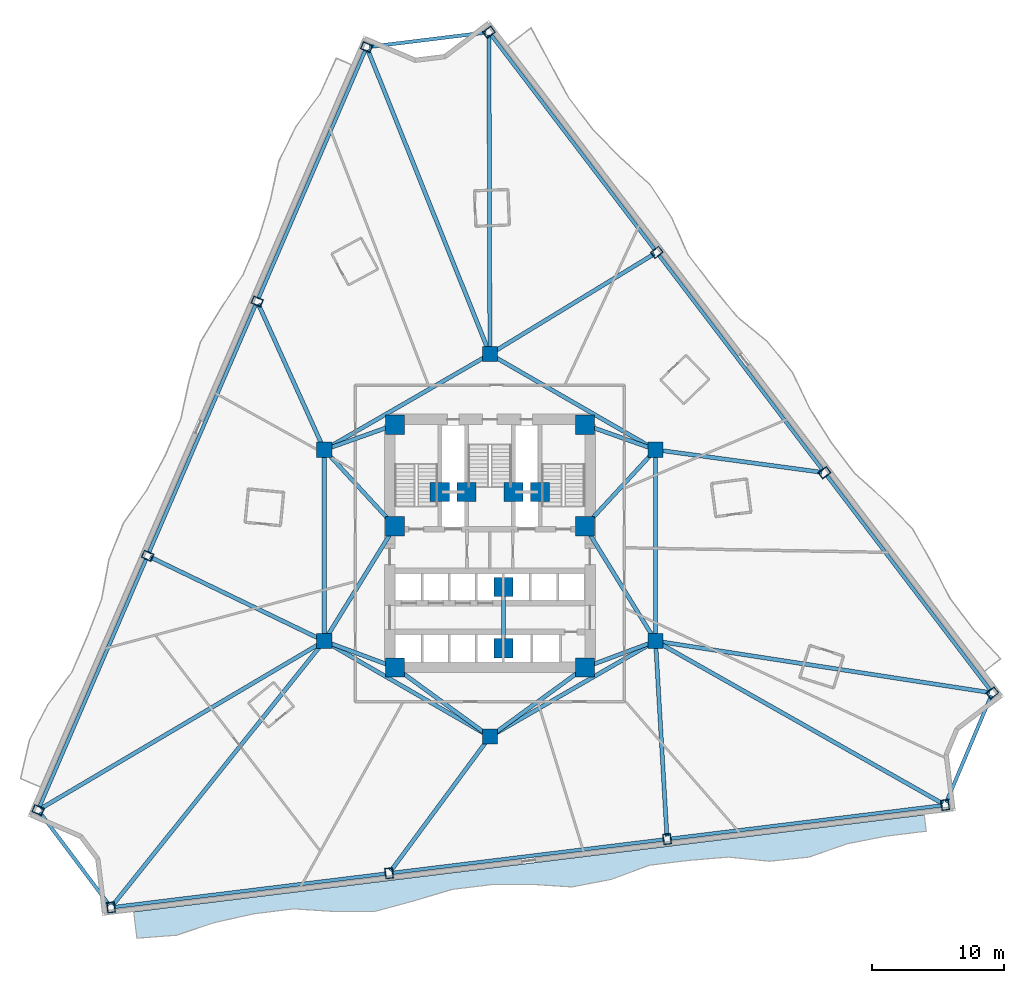
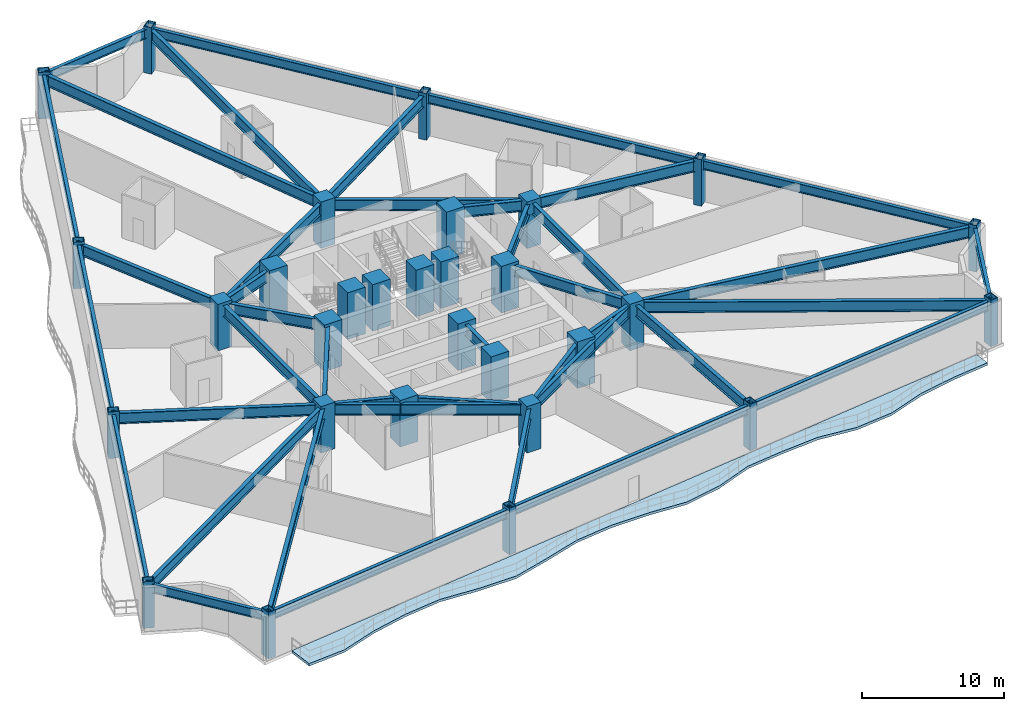
# One storey, part 1 of 13: 41 beams, 30 columns, 1 slab.
"""IFC4 building model written with IfcOpenShell, lengths in metres."""

from ifc_helpers import new_model, si_unit, direction, frame, origin, origin_2d, place, context, subcontext, project, spatial, polyline, rectangle, hollow_rectangle, i_section, outline, extrude, material, layer, layer_set, material_profile, profile_set, type_object, element, save


model = new_model("IFC4")

# Units and contexts
model_context = context("Model", 3, precision=1e-05, world=origin(), true_north=direction((0.0, 1.0)))
body_context = subcontext(model_context, "Body", "Model", "MODEL_VIEW")
ifc_project = project(units=[si_unit("LENGTHUNIT", "METRE"), si_unit("AREAUNIT", "SQUARE_METRE"), si_unit("VOLUMEUNIT", "CUBIC_METRE"), si_unit("PLANEANGLEUNIT", "RADIAN"), si_unit("MASSUNIT", "GRAM", prefix="KILO")], contexts=[model_context])

# Site, building, storey
site_placement = place(None, origin())
site = spatial("IfcSite", under=ifc_project, at=site_placement, CompositionType="ELEMENT")
building_placement = place(site_placement, origin())
building = spatial("IfcBuilding", under=site, at=building_placement, Name="Apsidion Concourse Tower", CompositionType="ELEMENT")
storey_placement = place(building_placement, frame((0.0, 0.0, 67.0)))
storey = spatial("IfcBuildingStorey", under=building, at=storey_placement, Name="L14", CompositionType="ELEMENT", Elevation=67.0)

# Columns
ifc_material_1 = material(Name="Structural steel ASTM A572 Grade 50", Category="steel")
ifc_material_profile_1 = material_profile(ifc_material_1, hollow_rectangle(XDim=0.60009765625, YDim=0.800048828125, WallThickness=0.050048828125, at=origin_2d()), Name="BOX800X600X50")
ifc_profile_set_1 = profile_set([ifc_material_profile_1], Name="Structural steel ASTM A572 Grade 50")
column_type_1 = type_object("IfcColumnType", Name="COL-BOX-800", PredefinedType="COLUMN", material=ifc_profile_set_1)
for number, where, z_axis, x_axis, name in (
    (1, (-9.34423828125, 37.77685546875, 0.0), (0.0, 0.0, 1.0), (0.395545502563, 0.918446381343, 0.0), "L14 Rotated Perimeter Column PC01"),
    (2, (-17.64794921875, 18.49462890625, 0.0), (0.0, 0.0, 1.0), (0.395545502563, 0.918446381343, 0.0), "L14 Rotated Perimeter Column PC02"),
    (3, (-25.95166015625, -0.787353515625, 0.0), (0.0, 0.0, 1.0), (0.395545502563, 0.918446381343, 0.0), "L14 Rotated Perimeter Column PC03"),
    (4, (-34.25537109375, -20.069580078125, 0.0), (0.0, 0.0, 1.0), (0.395545502563, 0.918446381343, 0.0), "L14 Rotated Perimeter Column PC04"),
    (5, (-28.72802734375, -27.4443359375, 0.0), (0.0, 0.0, 1.0), (0.992546151641, 0.121869343405, 0.0), "L14 Rotated Perimeter Column PC05"),
    (6, (-7.647216796875, -24.85595703125, 0.0), (0.0, 0.0, 1.0), (0.992546151641, 0.121869343405, 0.0), "L14 Rotated Perimeter Column PC06"),
    (7, (13.433349609375, -22.267578125, 0.0), (0.0, 0.0, 1.0), (0.992546151641, 0.121869343405, 0.0), "L14 Rotated Perimeter Column PC07"),
    (8, (34.51416015625, -19.67919921875, 0.0), (0.0, 0.0, 1.0), (0.992546151641, 0.121869343405, 0.0), "L14 Rotated Perimeter Column PC08"),
    (9, (38.093017578125, -11.186279296875, 0.0), (0.0, 0.0, 1.0), (-0.605988400266, 0.795473480855, 0.0), "L14 Rotated Perimeter Column PC09"),
    (10, (25.371337890625, 5.514404296875, 0.0), (0.0, 0.0, 1.0), (-0.605988400266, 0.795473480855, 0.0), "L14 Rotated Perimeter Column PC10"),
    (11, (12.6494140625, 22.214599609375, 0.0), (0.0, 0.0, 1.0), (-0.605988400266, 0.795473480855, 0.0), "L14 Rotated Perimeter Column PC11"),
    (12, (-0.072265625, 38.915283203125, 0.0), (0.0, 0.0, 1.0), (-0.605988400266, 0.795473480855, 0.0), "L14 Rotated Perimeter Column PC12"),
):
    element("IfcColumn", number, at=place(storey_placement, frame(where, z_axis=z_axis, x_axis=x_axis)), inside=storey, type_object=column_type_1, Name=name, PredefinedType="COLUMN", context=body_context, shape_type="SweptSolid", body=[
        extrude(hollow_rectangle(XDim=0.60009765625, YDim=0.800048828125, WallThickness=0.050048828125, at=origin_2d()), origin(), (0.0, 0.0, 1.0), 4.0),
    ])
ifc_material_2 = material(Name="Concrete C50/60", Category="concrete")
ifc_material_profile_2 = material_profile(ifc_material_2, rectangle(XDim=1.14990234375, YDim=1.14990234375, at=origin_2d()), Name="RC 1150x1150")
ifc_profile_set_2 = profile_set([ifc_material_profile_2], Name="Concrete C50/60")
column_type_2 = type_object("IfcColumnType", Name="COL-RC-1150", PredefinedType="COLUMN", material=ifc_profile_set_2)
for number, where, z_axis, x_axis, name in (
    (13, (-12.56005859375, -7.25, 0.0), (0.0, 0.0, 1.0), (1.0, 0.0, 0.0), "L14 Interior Spine Column IC1"),
    (14, (12.56005859375, -7.25, 0.0), (0.0, 0.0, 1.0), (1.0, 0.0, 0.0), "L14 Interior Spine Column IC2"),
    (15, (12.56005859375, 7.25, 0.0), (0.0, 0.0, 1.0), (1.0, 0.0, 0.0), "L14 Interior Spine Column IC3"),
    (16, (0.0, 14.5, 0.0), (0.0, 0.0, 1.0), (1.0, 0.0, 0.0), "L14 Interior Spine Column IC4"),
    (17, (-12.56005859375, 7.25, 0.0), (0.0, 0.0, 1.0), (1.0, 0.0, 0.0), "L14 Interior Spine Column IC5"),
    (18, (0.0, -14.5, 0.0), (0.0, 0.0, 1.0), (1.0, 0.0, 0.0), "L14 Interior Spine Column IC6"),
):
    element("IfcColumn", number, at=place(storey_placement, frame(where, z_axis=z_axis, x_axis=x_axis)), inside=storey, type_object=column_type_2, Name=name, PredefinedType="COLUMN", context=body_context, shape_type="SweptSolid", body=[
        extrude(rectangle(XDim=1.14990234375, YDim=1.14990234375, at=origin_2d()), origin(), (0.0, 0.0, 1.0), 4.0),
    ])
ifc_material_3 = material(Name="Concrete C60/75", Category="concrete")
ifc_material_profile_3 = material_profile(ifc_material_3, rectangle(XDim=1.449951171875, YDim=1.449951171875, at=origin_2d()), Name="RC 1450x1450")
ifc_profile_set_3 = profile_set([ifc_material_profile_3], Name="Concrete C60/75")
column_type_3 = type_object("IfcColumnType", Name="COL-RC-1450", PredefinedType="COLUMN", material=ifc_profile_set_3)
for number, where, z_axis, x_axis, name in (
    (19, (-7.199951171875, -9.25, 0.0), (0.0, 0.0, 1.0), (1.0, 0.0, 0.0), "L14 Core Super-Column SC1"),
    (20, (7.199951171875, -9.25, 0.0), (0.0, 0.0, 1.0), (1.0, 0.0, 0.0), "L14 Core Super-Column SC2"),
    (21, (7.199951171875, 1.449951171875, 0.0), (0.0, 0.0, 1.0), (1.0, 0.0, 0.0), "L14 Core Super-Column SC3"),
    (22, (7.199951171875, 9.14990234375, 0.0), (0.0, 0.0, 1.0), (1.0, 0.0, 0.0), "L14 Core Super-Column SC4"),
    (23, (-7.199951171875, 9.14990234375, 0.0), (0.0, 0.0, 1.0), (1.0, 0.0, 0.0), "L14 Core Super-Column SC5"),
    (24, (-7.199951171875, 1.449951171875, 0.0), (0.0, 0.0, 1.0), (1.0, 0.0, 0.0), "L14 Core Super-Column SC6"),
    (25, (-3.800048828125, 4.050048828125, 0.0), (0.0, 0.0, 1.0), (1.0, 0.0, 0.0), "L14 Core Super-Column CC1"),
    (26, (3.800048828125, 4.050048828125, 0.0), (0.0, 0.0, 1.0), (1.0, 0.0, 0.0), "L14 Core Super-Column CC2"),
    (27, (-1.77490234375, 4.050048828125, 0.0), (0.0, 0.0, 1.0), (1.0, 0.0, 0.0), "L14 Core Super-Column CC3"),
    (28, (1.77490234375, 4.050048828125, 0.0), (0.0, 0.0, 1.0), (1.0, 0.0, 0.0), "L14 Core Super-Column CC4"),
    (29, (1.02490234375, -3.14990234375, 0.0), (0.0, 0.0, 1.0), (1.0, 0.0, 0.0), "L14 Core Super-Column CC5"),
    (30, (1.02490234375, -7.800048828125, 0.0), (0.0, 0.0, 1.0), (1.0, 0.0, 0.0), "L14 Core Super-Column CC6"),
):
    element("IfcColumn", number, at=place(storey_placement, frame(where, z_axis=z_axis, x_axis=x_axis)), inside=storey, type_object=column_type_3, Name=name, PredefinedType="COLUMN", context=body_context, shape_type="SweptSolid", body=[
        extrude(rectangle(XDim=1.449951171875, YDim=1.449951171875, at=origin_2d()), origin(), (0.0, 0.0, 1.0), 4.0),
    ])

# Beams
ifc_material_4 = material(Name="Structural steel ASTM A992 Grade 50", Category="steel")
ifc_material_profile_4 = material_profile(ifc_material_4, i_section(OverallWidth=0.31005859375, OverallDepth=0.931884765625, WebThickness=0.02099609375, FlangeThickness=0.034423828125, at=origin_2d()), Name="W36X210")
ifc_profile_set_4 = profile_set([ifc_material_profile_4], Name="Structural steel ASTM A992 Grade 50")
beam_type_1 = type_object("IfcBeamType", Name="BM-G-W36", PredefinedType="USERDEFINED", material=ifc_profile_set_4)
beam_1_placement = place(storey_placement, frame((-12.185302734375, -7.389892578125, 3.283935546875), z_axis=(0.936913021145, -0.349562570664, 0.0), x_axis=(0.349562570664, 0.936913021145, 0.0)))
element("IfcBeam", 31, at=beam_1_placement, inside=storey, type_object=beam_type_1, Name="L14 Core Coupling Girder IC1-SC1", ObjectType="GIRDER", PredefinedType="USERDEFINED", context=body_context, shape_type="SweptSolid", body=[
    extrude(i_section(OverallWidth=0.31005859375, OverallDepth=0.931884765625, WebThickness=0.02099609375, FlangeThickness=0.034423828125, at=origin_2d()), origin(), (0.0, 0.0, 1.0), 4.921142578125),
])
beam_2_placement = place(storey_placement, frame((-12.35009765625, -6.909423828125, 3.283935546875), z_axis=(0.524524009763, 0.851395656074, 0.0), x_axis=(-0.851395656074, 0.524524009763, 0.0)))
element("IfcBeam", 32, at=beam_2_placement, inside=storey, type_object=beam_type_1, Name="L14 Core Coupling Girder IC1-SC6", ObjectType="GIRDER", PredefinedType="USERDEFINED", context=body_context, shape_type="SweptSolid", body=[
    extrude(i_section(OverallWidth=0.31005859375, OverallDepth=0.931884765625, WebThickness=0.02099609375, FlangeThickness=0.034423828125, at=origin_2d()), origin(), (0.0, 0.0, 1.0), 9.41845703125),
])
beam_3_placement = place(storey_placement, frame((12.185302734375, -7.389892578125, 3.283935546875), z_axis=(-0.936913021145, -0.349562570664, 0.0), x_axis=(0.349562570664, -0.936913021145, 0.0)))
element("IfcBeam", 33, at=beam_3_placement, inside=storey, type_object=beam_type_1, Name="L14 Core Coupling Girder IC2-SC2", ObjectType="GIRDER", PredefinedType="USERDEFINED", context=body_context, shape_type="SweptSolid", body=[
    extrude(i_section(OverallWidth=0.31005859375, OverallDepth=0.931884765625, WebThickness=0.02099609375, FlangeThickness=0.034423828125, at=origin_2d()), origin(), (0.0, 0.0, 1.0), 4.921142578125),
])
beam_4_placement = place(storey_placement, frame((12.35009765625, -6.909423828125, 3.283935546875), z_axis=(-0.524524009763, 0.851395656074, 0.0), x_axis=(-0.851395656074, -0.524524009763, 0.0)))
element("IfcBeam", 34, at=beam_4_placement, inside=storey, type_object=beam_type_1, Name="L14 Core Coupling Girder IC2-SC3", ObjectType="GIRDER", PredefinedType="USERDEFINED", context=body_context, shape_type="SweptSolid", body=[
    extrude(i_section(OverallWidth=0.31005859375, OverallDepth=0.931884765625, WebThickness=0.02099609375, FlangeThickness=0.034423828125, at=origin_2d()), origin(), (0.0, 0.0, 1.0), 9.41845703125),
])
beam_5_placement = place(storey_placement, frame((12.28857421875, 6.956298828125, 3.283935546875), z_axis=(-0.678712876106, -0.73440372535, 0.0), x_axis=(0.73440372535, -0.678712876106, 0.0)))
element("IfcBeam", 35, at=beam_5_placement, inside=storey, type_object=beam_type_1, Name="L14 Core Coupling Girder IC3-SC3", ObjectType="GIRDER", PredefinedType="USERDEFINED", context=body_context, shape_type="SweptSolid", body=[
    extrude(i_section(OverallWidth=0.31005859375, OverallDepth=0.931884765625, WebThickness=0.02099609375, FlangeThickness=0.034423828125, at=origin_2d()), origin(), (0.0, 0.0, 1.0), 7.097412109375),
])
beam_6_placement = place(storey_placement, frame((12.18310546875, 7.383544921875, 3.283935546875), z_axis=(-0.942533844539, 0.334110688094, 0.0), x_axis=(-0.334110688094, -0.942533844539, 0.0)))
element("IfcBeam", 36, at=beam_6_placement, inside=storey, type_object=beam_type_1, Name="L14 Core Coupling Girder IC3-SC4", ObjectType="GIRDER", PredefinedType="USERDEFINED", context=body_context, shape_type="SweptSolid", body=[
    extrude(i_section(OverallWidth=0.31005859375, OverallDepth=0.931884765625, WebThickness=0.02099609375, FlangeThickness=0.034423828125, at=origin_2d()), origin(), (0.0, 0.0, 1.0), 4.886962890625),
])
beam_7_placement = place(storey_placement, frame((-12.28857421875, 6.956298828125, 3.283935546875), z_axis=(0.678712876106, -0.73440372535, 0.0), x_axis=(0.73440372535, 0.678712876106, 0.0)))
element("IfcBeam", 37, at=beam_7_placement, inside=storey, type_object=beam_type_1, Name="L14 Core Coupling Girder IC5-SC6", ObjectType="GIRDER", PredefinedType="USERDEFINED", context=body_context, shape_type="SweptSolid", body=[
    extrude(i_section(OverallWidth=0.31005859375, OverallDepth=0.931884765625, WebThickness=0.02099609375, FlangeThickness=0.034423828125, at=origin_2d()), origin(), (0.0, 0.0, 1.0), 7.097412109375),
])
beam_8_placement = place(storey_placement, frame((-12.18310546875, 7.383544921875, 3.283935546875), z_axis=(0.942533844539, 0.334110688094, 0.0), x_axis=(-0.334110688094, 0.942533844539, 0.0)))
element("IfcBeam", 38, at=beam_8_placement, inside=storey, type_object=beam_type_1, Name="L14 Core Coupling Girder IC5-SC5", ObjectType="GIRDER", PredefinedType="USERDEFINED", context=body_context, shape_type="SweptSolid", body=[
    extrude(i_section(OverallWidth=0.31005859375, OverallDepth=0.931884765625, WebThickness=0.02099609375, FlangeThickness=0.034423828125, at=origin_2d()), origin(), (0.0, 0.0, 1.0), 4.886962890625),
])
for number, where, z_axis, x_axis, name in (
    (39, (-0.3232421875, -14.264404296875, 3.283935546875), (-0.807993498909, 0.589191399905, 0.0), (-0.589191399905, -0.807993498909, 0.0), "L14 Core Coupling Girder IC6-SC1"),
    (40, (0.3232421875, -14.264404296875, 3.283935546875), (0.807993498909, 0.589191399905, 0.0), (-0.589191399905, 0.807993498909, 0.0), "L14 Core Coupling Girder IC6-SC2"),
):
    element("IfcBeam", number, at=place(storey_placement, frame(where, z_axis=z_axis, x_axis=x_axis)), inside=storey, type_object=beam_type_1, Name=name, ObjectType="GIRDER", PredefinedType="USERDEFINED", context=body_context, shape_type="SweptSolid", body=[
        extrude(i_section(OverallWidth=0.31005859375, OverallDepth=0.931884765625, WebThickness=0.02099609375, FlangeThickness=0.034423828125, at=origin_2d()), origin(), (0.0, 0.0, 1.0), 8.11083984375),
    ])
beam_9_placement = place(storey_placement, frame((-12.56005859375, -6.85009765625, 3.283935546875), z_axis=(0.0, 1.0, 0.0), x_axis=(-1.0, 0.0, 0.0)))
element("IfcBeam", 41, at=beam_9_placement, inside=storey, type_object=beam_type_1, Name="L14 Core Coupling Girder IC1-IC5", ObjectType="GIRDER", PredefinedType="USERDEFINED", context=body_context, shape_type="SweptSolid", body=[
    extrude(i_section(OverallWidth=0.31005859375, OverallDepth=0.931884765625, WebThickness=0.02099609375, FlangeThickness=0.034423828125, at=origin_2d()), origin(), (0.0, 0.0, 1.0), 13.7001953125),
])
for number, where, z_axis, x_axis, name in (
    (42, (-12.213623046875, 7.449951171875, 3.283935546875), (0.866070471464, 0.499921932364, 0.0), (-0.499921932364, 0.866070471464, 0.0), "L14 Core Coupling Girder IC5-IC4"),
    (43, (0.346435546875, 14.300048828125, 3.283935546875), (0.866070471464, -0.499921932364, 0.0), (0.499921932364, 0.866070471464, 0.0), "L14 Core Coupling Girder IC4-IC3"),
):
    element("IfcBeam", number, at=place(storey_placement, frame(where, z_axis=z_axis, x_axis=x_axis)), inside=storey, type_object=beam_type_1, Name=name, ObjectType="GIRDER", PredefinedType="USERDEFINED", context=body_context, shape_type="SweptSolid", body=[
        extrude(i_section(OverallWidth=0.31005859375, OverallDepth=0.931884765625, WebThickness=0.02099609375, FlangeThickness=0.034423828125, at=origin_2d()), origin(), (0.0, 0.0, 1.0), 13.702392578125),
    ])
beam_10_placement = place(storey_placement, frame((12.56005859375, 6.85009765625, 3.283935546875), z_axis=(0.0, -1.0, 0.0), x_axis=(1.0, 0.0, 0.0)))
element("IfcBeam", 44, at=beam_10_placement, inside=storey, type_object=beam_type_1, Name="L14 Core Coupling Girder IC3-IC2", ObjectType="GIRDER", PredefinedType="USERDEFINED", context=body_context, shape_type="SweptSolid", body=[
    extrude(i_section(OverallWidth=0.31005859375, OverallDepth=0.931884765625, WebThickness=0.02099609375, FlangeThickness=0.034423828125, at=origin_2d()), origin(), (0.0, 0.0, 1.0), 13.7001953125),
])
for number, where, z_axis, x_axis, name in (
    (45, (12.213623046875, -7.449951171875, 3.283935546875), (-0.866070471464, -0.499921932364, 0.0), (0.499921932364, -0.866070471464, 0.0), "L14 Core Coupling Girder IC2-IC6"),
    (46, (-0.346435546875, -14.300048828125, 3.283935546875), (-0.866070471464, 0.499921932364, 0.0), (-0.499921932364, -0.866070471464, 0.0), "L14 Core Coupling Girder IC6-IC1"),
):
    element("IfcBeam", number, at=place(storey_placement, frame(where, z_axis=z_axis, x_axis=x_axis)), inside=storey, type_object=beam_type_1, Name=name, ObjectType="GIRDER", PredefinedType="USERDEFINED", context=body_context, shape_type="SweptSolid", body=[
        extrude(i_section(OverallWidth=0.31005859375, OverallDepth=0.931884765625, WebThickness=0.02099609375, FlangeThickness=0.034423828125, at=origin_2d()), origin(), (0.0, 0.0, 1.0), 13.702392578125),
    ])
beam_11_placement = place(storey_placement, frame((1.02490234375, -3.550048828125, 3.283935546875), z_axis=(0.0, -1.0, 0.0), x_axis=(1.0, 0.0, 0.0)))
element("IfcBeam", 47, at=beam_11_placement, inside=storey, type_object=beam_type_1, Name="L14 Core Coupling Girder CC5-CC6", ObjectType="GIRDER", PredefinedType="USERDEFINED", context=body_context, shape_type="SweptSolid", body=[
    extrude(i_section(OverallWidth=0.31005859375, OverallDepth=0.931884765625, WebThickness=0.02099609375, FlangeThickness=0.034423828125, at=origin_2d()), origin(), (0.0, 0.0, 1.0), 3.849853515625),
])
beam_12_placement = place(storey_placement, frame((-0.08203125, 14.7041015625, 3.283935546875), z_axis=(-0.372538285094, 0.928016824276, 0.0), x_axis=(-0.928016824276, -0.372538285094, 0.0)))
element("IfcBeam", 48, at=beam_12_placement, inside=storey, type_object=beam_type_1, Name="L14 Radial Floor Girder RAD-01", ObjectType="GIRDER", PredefinedType="USERDEFINED", context=body_context, shape_type="SweptSolid", body=[
    extrude(i_section(OverallWidth=0.31005859375, OverallDepth=0.931884765625, WebThickness=0.02099609375, FlangeThickness=0.034423828125, at=origin_2d()), origin(), (0.0, 0.0, 1.0), 24.642333984375),
])
beam_13_placement = place(storey_placement, frame((-12.650634765625, 7.450439453125, 3.283935546875), z_axis=(-0.412253816474, 0.911069037342, 0.0), x_axis=(-0.911069037342, -0.412253816474, 0.0)))
element("IfcBeam", 49, at=beam_13_placement, inside=storey, type_object=beam_type_1, Name="L14 Radial Floor Girder RAD-02", ObjectType="GIRDER", PredefinedType="USERDEFINED", context=body_context, shape_type="SweptSolid", body=[
    extrude(i_section(OverallWidth=0.31005859375, OverallDepth=0.931884765625, WebThickness=0.02099609375, FlangeThickness=0.034423828125, at=origin_2d()), origin(), (0.0, 0.0, 1.0), 11.90234375),
])
beam_14_placement = place(storey_placement, frame((-12.758056640625, -7.154296875, 3.283935546875), z_axis=(-0.900619466143, 0.434608533286, 0.0), x_axis=(-0.434608533286, -0.900619466143, 0.0)))
element("IfcBeam", 50, at=beam_14_placement, inside=storey, type_object=beam_type_1, Name="L14 Radial Floor Girder RAD-03", ObjectType="GIRDER", PredefinedType="USERDEFINED", context=body_context, shape_type="SweptSolid", body=[
    extrude(i_section(OverallWidth=0.31005859375, OverallDepth=0.931884765625, WebThickness=0.02099609375, FlangeThickness=0.034423828125, at=origin_2d()), origin(), (0.0, 0.0, 1.0), 14.4296875),
])
beam_15_placement = place(storey_placement, frame((-12.74951171875, -7.36181640625, 3.283935546875), z_axis=(-0.860932809824, -0.508718681561, 0.0), x_axis=(0.508718681561, -0.860932809824, 0.0)))
element("IfcBeam", 51, at=beam_15_placement, inside=storey, type_object=beam_type_1, Name="L14 Radial Floor Girder RAD-04", ObjectType="GIRDER", PredefinedType="USERDEFINED", context=body_context, shape_type="SweptSolid", body=[
    extrude(i_section(OverallWidth=0.31005859375, OverallDepth=0.931884765625, WebThickness=0.02099609375, FlangeThickness=0.034423828125, at=origin_2d()), origin(), (0.0, 0.0, 1.0), 24.759765625),
])
beam_16_placement = place(storey_placement, frame((-12.697509765625, -7.421630859375, 3.283935546875), z_axis=(-0.624987708563, -0.780634590667, 0.0), x_axis=(0.780634590667, -0.624987708563, 0.0)))
element("IfcBeam", 52, at=beam_16_placement, inside=storey, type_object=beam_type_1, Name="L14 Radial Floor Girder RAD-05", ObjectType="GIRDER", PredefinedType="USERDEFINED", context=body_context, shape_type="SweptSolid", body=[
    extrude(i_section(OverallWidth=0.31005859375, OverallDepth=0.931884765625, WebThickness=0.02099609375, FlangeThickness=0.034423828125, at=origin_2d()), origin(), (0.0, 0.0, 1.0), 25.429443359375),
])
beam_17_placement = place(storey_placement, frame((-0.130615234375, -14.677001953125, 3.283935546875), z_axis=(-0.594039313688, -0.804436009757, 0.0), x_axis=(0.804436009757, -0.594039313688, 0.0)))
element("IfcBeam", 53, at=beam_17_placement, inside=storey, type_object=beam_type_1, Name="L14 Radial Floor Girder RAD-06", ObjectType="GIRDER", PredefinedType="USERDEFINED", context=body_context, shape_type="SweptSolid", body=[
    extrude(i_section(OverallWidth=0.31005859375, OverallDepth=0.931884765625, WebThickness=0.02099609375, FlangeThickness=0.034423828125, at=origin_2d()), origin(), (0.0, 0.0, 1.0), 12.43359375),
])
beam_18_placement = place(storey_placement, frame((12.57275390625, -7.469482421875, 3.283935546875), z_axis=(0.058062445762, -0.998312953133, 0.0), x_axis=(0.998312953133, 0.058062445762, 0.0)))
element("IfcBeam", 54, at=beam_18_placement, inside=storey, type_object=beam_type_1, Name="L14 Radial Floor Girder RAD-07", ObjectType="GIRDER", PredefinedType="USERDEFINED", context=body_context, shape_type="SweptSolid", body=[
    extrude(i_section(OverallWidth=0.31005859375, OverallDepth=0.931884765625, WebThickness=0.02099609375, FlangeThickness=0.034423828125, at=origin_2d()), origin(), (0.0, 0.0, 1.0), 14.603271484375),
])
beam_19_placement = place(storey_placement, frame((12.75146484375, -7.3583984375, 3.283935546875), z_axis=(0.870218136179, -0.492666616958, 0.0), x_axis=(0.492666616958, 0.870218136179, 0.0)))
element("IfcBeam", 55, at=beam_19_placement, inside=storey, type_object=beam_type_1, Name="L14 Radial Floor Girder RAD-08", ObjectType="GIRDER", PredefinedType="USERDEFINED", context=body_context, shape_type="SweptSolid", body=[
    extrude(i_section(OverallWidth=0.31005859375, OverallDepth=0.931884765625, WebThickness=0.02099609375, FlangeThickness=0.034423828125, at=origin_2d()), origin(), (0.0, 0.0, 1.0), 24.788330078125),
])
beam_20_placement = place(storey_placement, frame((12.77734375, -7.283447265625, 3.283935546875), z_axis=(0.98832519419, -0.152359149806, 0.0), x_axis=(0.152359149806, 0.98832519419, 0.0)))
element("IfcBeam", 56, at=beam_20_placement, inside=storey, type_object=beam_type_1, Name="L14 Radial Floor Girder RAD-09", ObjectType="GIRDER", PredefinedType="USERDEFINED", context=body_context, shape_type="SweptSolid", body=[
    extrude(i_section(OverallWidth=0.31005859375, OverallDepth=0.931884765625, WebThickness=0.02099609375, FlangeThickness=0.034423828125, at=origin_2d()), origin(), (0.0, 0.0, 1.0), 25.394775390625),
])
beam_21_placement = place(storey_placement, frame((12.778076171875, 7.220458984375, 3.283935546875), z_axis=(0.990945318587, -0.134266062618, 0.0), x_axis=(0.134266062618, 0.990945318587, 0.0)))
element("IfcBeam", 57, at=beam_21_placement, inside=storey, type_object=beam_type_1, Name="L14 Radial Floor Girder RAD-10", ObjectType="GIRDER", PredefinedType="USERDEFINED", context=body_context, shape_type="SweptSolid", body=[
    extrude(i_section(OverallWidth=0.31005859375, OverallDepth=0.931884765625, WebThickness=0.02099609375, FlangeThickness=0.034423828125, at=origin_2d()), origin(), (0.0, 0.0, 1.0), 12.48828125),
])
beam_22_placement = place(storey_placement, frame((0.187744140625, 14.614501953125, 3.283935546875), z_axis=(0.853749961822, 0.520683207611, 0.0), x_axis=(-0.520683207611, 0.853749961822, 0.0)))
element("IfcBeam", 58, at=beam_22_placement, inside=storey, type_object=beam_type_1, Name="L14 Radial Floor Girder RAD-11", ObjectType="GIRDER", PredefinedType="USERDEFINED", context=body_context, shape_type="SweptSolid", body=[
    extrude(i_section(OverallWidth=0.31005859375, OverallDepth=0.931884765625, WebThickness=0.02099609375, FlangeThickness=0.034423828125, at=origin_2d()), origin(), (0.0, 0.0, 1.0), 14.37646484375),
])
beam_23_placement = place(storey_placement, frame((-0.000732421875, 14.719970703125, 3.283935546875), z_axis=(-0.002953053731, 0.999995639727, 0.0), x_axis=(-0.999995639727, -0.002953053731, 0.0)))
element("IfcBeam", 59, at=beam_23_placement, inside=storey, type_object=beam_type_1, Name="L14 Radial Floor Girder RAD-12", ObjectType="GIRDER", PredefinedType="USERDEFINED", context=body_context, shape_type="SweptSolid", body=[
    extrude(i_section(OverallWidth=0.31005859375, OverallDepth=0.931884765625, WebThickness=0.02099609375, FlangeThickness=0.034423828125, at=origin_2d()), origin(), (0.0, 0.0, 1.0), 23.975341796875),
])
ifc_material_profile_5 = material_profile(ifc_material_4, i_section(OverallWidth=0.26806640625, OverallDepth=0.77001953125, WebThickness=0.015625, FlangeThickness=0.025390625, at=origin_2d()), Name="W30X132")
ifc_profile_set_5 = profile_set([ifc_material_profile_5], Name="Structural steel ASTM A992 Grade 50")
beam_type_2 = type_object("IfcBeamType", Name="BM-SP-W30", PredefinedType="SPANDREL", material=ifc_profile_set_5)
beam_24_placement = place(storey_placement, frame((-9.431396484375, 37.57470703125, 3.364990234375), z_axis=(-0.395525708749, -0.918454905653, 0.0), x_axis=(0.918454905653, -0.395525708749, 0.0)))
element("IfcBeam", 60, at=beam_24_placement, inside=storey, type_object=beam_type_2, Name="L14 Perimeter Spandrel Girder SP-01", PredefinedType="SPANDREL", context=body_context, shape_type="SweptSolid", body=[
    extrude(i_section(OverallWidth=0.26806640625, OverallDepth=0.77001953125, WebThickness=0.015625, FlangeThickness=0.025390625, at=origin_2d()), origin(), (0.0, 0.0, 1.0), 20.553955078125),
])
beam_25_placement = place(storey_placement, frame((-17.735107421875, 18.29248046875, 3.364990234375), z_axis=(-0.395530023745, -0.918453047421, 0.0), x_axis=(0.918453047421, -0.395530023745, 0.0)))
element("IfcBeam", 61, at=beam_25_placement, inside=storey, type_object=beam_type_2, Name="L14 Perimeter Spandrel Girder SP-02", PredefinedType="SPANDREL", context=body_context, shape_type="SweptSolid", body=[
    extrude(i_section(OverallWidth=0.26806640625, OverallDepth=0.77001953125, WebThickness=0.015625, FlangeThickness=0.025390625, at=origin_2d()), origin(), (0.0, 0.0, 1.0), 20.5537109375),
])
beam_26_placement = place(storey_placement, frame((-26.038818359375, -0.989501953125, 3.364990234375), z_axis=(-0.395525708749, -0.918454905653, 0.0), x_axis=(0.918454905653, -0.395525708749, 0.0)))
element("IfcBeam", 62, at=beam_26_placement, inside=storey, type_object=beam_type_2, Name="L14 Perimeter Spandrel Girder SP-03", PredefinedType="SPANDREL", context=body_context, shape_type="SweptSolid", body=[
    extrude(i_section(OverallWidth=0.26806640625, OverallDepth=0.77001953125, WebThickness=0.015625, FlangeThickness=0.025390625, at=origin_2d()), origin(), (0.0, 0.0, 1.0), 20.553955078125),
])
beam_27_placement = place(storey_placement, frame((-34.12353515625, -20.24560546875, 3.364990234375), z_axis=(0.59973736177, -0.800196911327, 0.0), x_axis=(0.800196911327, 0.59973736177, 0.0)))
element("IfcBeam", 63, at=beam_27_placement, inside=storey, type_object=beam_type_2, Name="L14 Perimeter Spandrel Girder SP-04", PredefinedType="SPANDREL", context=body_context, shape_type="SweptSolid", body=[
    extrude(i_section(OverallWidth=0.26806640625, OverallDepth=0.77001953125, WebThickness=0.015625, FlangeThickness=0.025390625, at=origin_2d()), origin(), (0.0, 0.0, 1.0), 8.776123046875),
])
for number, where, z_axis, x_axis, name in (
    (64, (-28.509765625, -27.41748046875, 3.364990234375), (0.992546743565, 0.121864522478, 0.0), (-0.121864522478, 0.992546743565, 0.0), "L14 Perimeter Spandrel Girder SP-05"),
    (65, (-7.428955078125, -24.8291015625, 3.364990234375), (0.992546743565, 0.121864522478, 0.0), (-0.121864522478, 0.992546743565, 0.0), "L14 Perimeter Spandrel Girder SP-06"),
    (66, (13.65185546875, -22.24072265625, 3.364990234375), (0.992546743565, 0.121864522478, 0.0), (-0.121864522478, 0.992546743565, 0.0), "L14 Perimeter Spandrel Girder SP-07"),
):
    element("IfcBeam", number, at=place(storey_placement, frame(where, z_axis=z_axis, x_axis=x_axis)), inside=storey, type_object=beam_type_2, Name=name, PredefinedType="SPANDREL", context=body_context, shape_type="SweptSolid", body=[
        extrude(i_section(OverallWidth=0.26806640625, OverallDepth=0.77001953125, WebThickness=0.015625, FlangeThickness=0.025390625, at=origin_2d()), origin(), (0.0, 0.0, 1.0), 20.799072265625),
    ])
beam_28_placement = place(storey_placement, frame((34.599609375, -19.4765625, 3.364990234375), z_axis=(0.388335552383, 0.921518040385, 0.0), x_axis=(-0.921518040385, 0.388335552383, 0.0)))
element("IfcBeam", 67, at=beam_28_placement, inside=storey, type_object=beam_type_2, Name="L14 Perimeter Spandrel Girder SP-08", PredefinedType="SPANDREL", context=body_context, shape_type="SweptSolid", body=[
    extrude(i_section(OverallWidth=0.26806640625, OverallDepth=0.77001953125, WebThickness=0.015625, FlangeThickness=0.025390625, at=origin_2d()), origin(), (0.0, 0.0, 1.0), 8.7763671875),
])
for number, where, z_axis, x_axis, name in (
    (68, (37.959716796875, -11.01123046875, 3.364990234375), (-0.605965911945, 0.795490611862, 0.0), (-0.795490611862, -0.605965911945, 0.0), "L14 Perimeter Spandrel Girder SP-09"),
    (69, (25.238037109375, 5.689208984375, 3.364990234375), (-0.605973428299, 0.795484886215, 0.0), (-0.795484886215, -0.605973428299, 0.0), "L14 Perimeter Spandrel Girder SP-10"),
    (70, (12.51611328125, 22.3896484375, 3.364990234375), (-0.605965911945, 0.795490611862, 0.0), (-0.795490611862, -0.605965911945, 0.0), "L14 Perimeter Spandrel Girder SP-11"),
):
    element("IfcBeam", number, at=place(storey_placement, frame(where, z_axis=z_axis, x_axis=x_axis)), inside=storey, type_object=beam_type_2, Name=name, PredefinedType="SPANDREL", context=body_context, shape_type="SweptSolid", body=[
        extrude(i_section(OverallWidth=0.26806640625, OverallDepth=0.77001953125, WebThickness=0.015625, FlangeThickness=0.025390625, at=origin_2d()), origin(), (0.0, 0.0, 1.0), 20.55419921875),
    ])
beam_29_placement = place(storey_placement, frame((-0.290771484375, 38.888427734375, 3.364990234375), z_axis=(-0.992547646047, -0.121857171831, 0.0), x_axis=(0.121857171831, -0.992547646047, 0.0)))
element("IfcBeam", 71, at=beam_29_placement, inside=storey, type_object=beam_type_2, Name="L14 Perimeter Spandrel Girder SP-12", PredefinedType="SPANDREL", context=body_context, shape_type="SweptSolid", body=[
    extrude(i_section(OverallWidth=0.26806640625, OverallDepth=0.77001953125, WebThickness=0.015625, FlangeThickness=0.025390625, at=origin_2d()), origin(), (0.0, 0.0, 1.0), 8.901611328125),
])

# Slab
ifc_layer = layer(ifc_material_2, 0.219970703125)
ifc_layer_set = layer_set([ifc_layer], Name="Concrete C50/60")
slab_type = type_object("IfcSlabType", Name="SL-BAL-220", PredefinedType="FLOOR", material=ifc_layer_set)
slab_placement = place(storey_placement, frame((0.0, 0.0, -0.219970703125)))
element("IfcSlab", 72, at=slab_placement, inside=storey, type_object=slab_type, Name="L14 Face 2 Rippling Balcony Slab", PredefinedType="FLOOR", context=body_context, shape_type="SweptSolid", body=[
    extrude(outline(polyline([(-27.01171875, -27.78759765625), (-24.014404296875, -27.419677734375), (-21.017333984375, -27.0517578125), (-18.02001953125, -26.68359375), (-15.02294921875, -26.315673828125), (-12.02587890625, -25.94775390625), (-9.028564453125, -25.57958984375), (-6.031494140625, -25.211669921875), (-3.0341796875, -24.84375), (-0.037109375, -24.4755859375), (2.9599609375, -24.107666015625), (5.957275390625, -23.73974609375), (8.954345703125, -23.37158203125), (11.951416015625, -23.003662109375), (14.94873046875, -22.6357421875), (17.94580078125, -22.267578125), (20.943115234375, -21.899658203125), (23.940185546875, -21.53173828125), (26.9375, -21.163818359375), (29.9345703125, -20.795654296875), (32.931640625, -20.427734375), (33.083984375, -21.66845703125), (30.0869140625, -22.036376953125), (27.115234375, -22.61279296875), (24.19775390625, -23.628662109375), (21.1943359375, -23.947021484375), (18.113037109375, -23.6298828125), (15.10107421875, -23.87646484375), (12.10400390625, -24.244384765625), (9.19384765625, -25.322021484375), (6.2216796875, -25.89306640625), (3.155029296875, -25.69580078125), (0.115234375, -25.71630859375), (-2.8818359375, -26.08447265625), (-5.816162109375, -26.964599609375), (-8.760498046875, -27.7626953125), (-11.8037109375, -27.755859375), (-14.87060546875, -27.556396484375), (-17.867919921875, -27.92431640625), (-20.82958984375, -28.580078125), (-23.752685546875, -29.55224609375), (-26.7666015625, -29.782470703125), (-27.01171875, -27.78759765625)])), origin(), (0.0, 0.0, 1.0), 0.219970703125),
])

save(model, "model.ifc")
